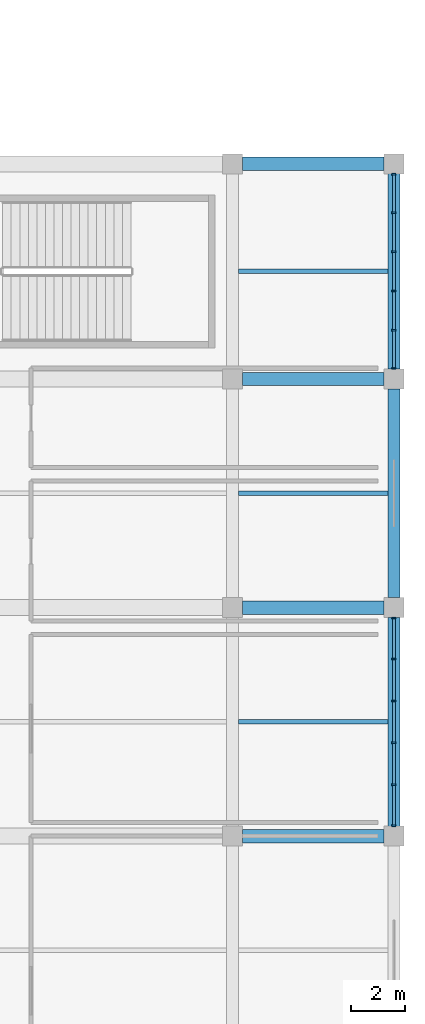
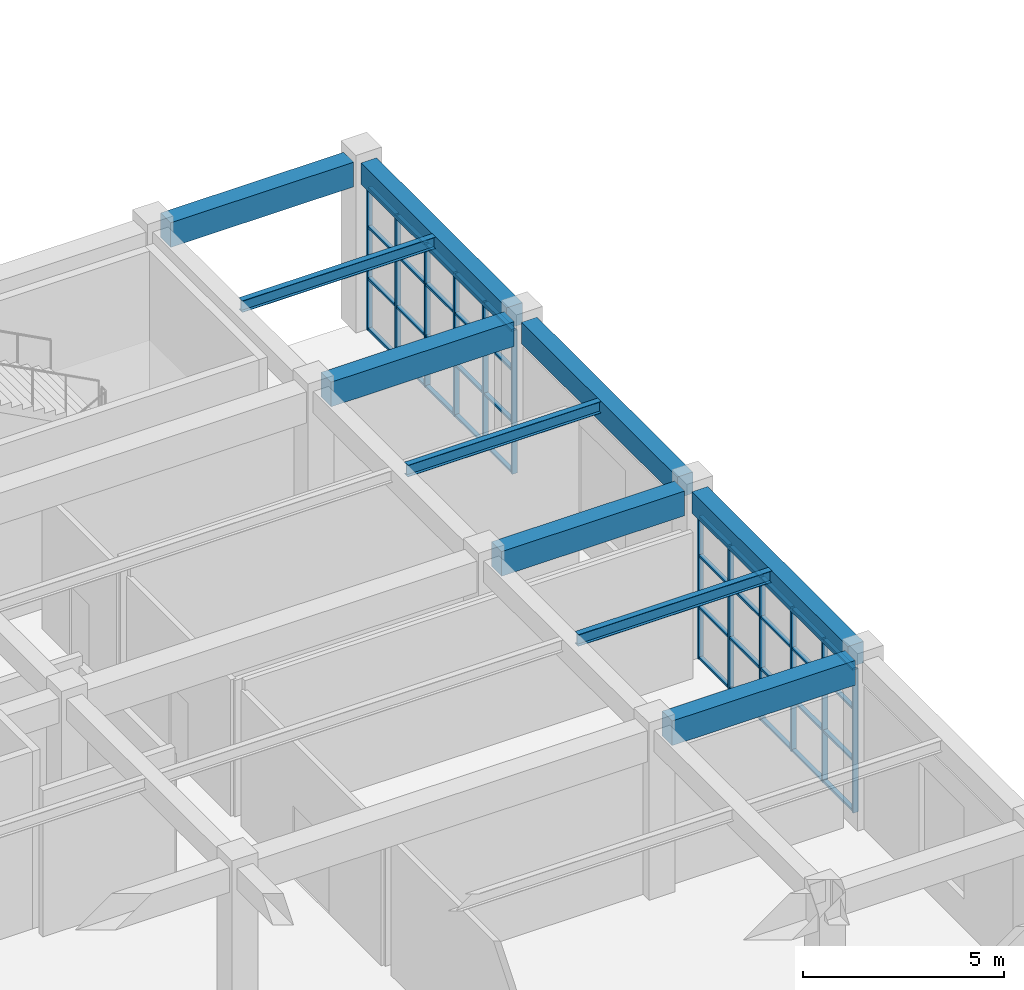
# One storey, part 39 of 70: 52 members, 10 beams, 2 elements without a shape of their own.
"""IFC4 building model written with IfcOpenShell, lengths in metres."""

from ifc_helpers import new_model, si_unit, direction, frame, origin, origin_2d, place, context, subcontext, project, spatial, rectangle, i_section, extrude, material, material_profile, profile_set, type_object, element, aggregate, save


model = new_model("IFC4")

# Units and contexts
model_context = context("Model", 3, precision=1e-05, world=origin(), true_north=direction((0.0, 1.0)))
body_context = subcontext(model_context, "Body", "Model", "MODEL_VIEW")
ifc_project = project(units=[si_unit("LENGTHUNIT", "METRE"), si_unit("AREAUNIT", "SQUARE_METRE"), si_unit("VOLUMEUNIT", "CUBIC_METRE"), si_unit("PLANEANGLEUNIT", "RADIAN"), si_unit("MASSUNIT", "GRAM", prefix="KILO")], contexts=[model_context])

# Site, building, storey
site_placement = place(None, origin())
site = spatial("IfcSite", under=ifc_project, at=site_placement, CompositionType="ELEMENT")
building_placement = place(site_placement, origin())
building = spatial("IfcBuilding", under=site, at=building_placement, Name="Cuetzalor Civic Arena", CompositionType="ELEMENT")
storey_placement = place(building_placement, frame((0.0, 0.0, 21.0)))
storey = spatial("IfcBuildingStorey", under=building, at=storey_placement, Name="L04", CompositionType="ELEMENT", Elevation=21.0)

# Beams
ifc_material_1 = material(Name="Concrete C40/50", Category="concrete")
ifc_material_profile_1 = material_profile(ifc_material_1, rectangle(XDim=0.5, YDim=0.75, at=origin_2d()), Name="RC 500x750")
ifc_profile_set_1 = profile_set([ifc_material_profile_1], Name="Concrete C40/50")
beam_type_1 = type_object("IfcBeamType", Name="ConcreteFrameBeam_500x750", PredefinedType="BEAM", material=ifc_profile_set_1)
for number, where, z_axis, x_axis, name in (
    (1, (76.364990234375, 0.0, 4.7451171875), (1.0, 0.0, 0.0), (0.0, 1.0, 0.0), "Frame Girder V4E-L04-X1165"),
    (2, (76.364990234375, 8.5, 4.7451171875), (1.0, 0.0, 0.0), (0.0, 1.0, 0.0), "Frame Girder V4E-L04-X1168"),
    (3, (76.364990234375, 17.0, 4.7451171875), (1.0, 0.0, 0.0), (0.0, 1.0, 0.0), "Frame Girder V4E-L04-X1171"),
    (4, (76.364990234375, 25.0, 4.7451171875), (1.0, 0.0, 0.0), (0.0, 1.0, 0.0), "Frame Girder V4E-L04-X1174"),
):
    element("IfcBeam", number, at=place(storey_placement, frame(where, z_axis=z_axis, x_axis=x_axis)), inside=storey, type_object=beam_type_1, Name=name, PredefinedType="BEAM", context=body_context, shape_type="SweptSolid", body=[
        extrude(rectangle(XDim=0.5, YDim=0.75, at=origin_2d()), origin(), (0.0, 0.0, 1.0), 5.27001953125),
    ])
ifc_material_2 = material(Name="Concrete C40/50", Category="concrete")
ifc_material_profile_2 = material_profile(ifc_material_2, rectangle(XDim=0.449951171875, YDim=0.64990234375, at=origin_2d()), Name="RC 450x650")
ifc_profile_set_2 = profile_set([ifc_material_profile_2], Name="Concrete C40/50")
beam_type_2 = type_object("IfcBeamType", Name="ConcreteTieBeam_450x650", PredefinedType="BEAM", material=ifc_profile_set_2)
for number, where, z_axis, x_axis, name in (
    (5, (82.0, 0.364990234375, 4.794921875), (0.0, 1.0, 0.0), (-1.0, 0.0, 0.0), "Frame Girder V4E-L04-Y1204"),
    (6, (82.0, 8.864990234375, 4.794921875), (0.0, 1.0, 0.0), (-1.0, 0.0, 0.0), "Frame Girder V4E-L04-Y1205"),
):
    element("IfcBeam", number, at=place(storey_placement, frame(where, z_axis=z_axis, x_axis=x_axis)), inside=storey, type_object=beam_type_2, Name=name, PredefinedType="BEAM", context=body_context, shape_type="SweptSolid", body=[
        extrude(rectangle(XDim=0.449951171875, YDim=0.64990234375, at=origin_2d()), origin(), (0.0, 0.0, 1.0), 7.77001953125),
    ])
beam_placement = place(storey_placement, frame((82.0, 17.364990234375, 4.794921875), z_axis=(0.0, 1.0, 0.0), x_axis=(-1.0, 0.0, 0.0)))
element("IfcBeam", 7, at=beam_placement, inside=storey, type_object=beam_type_2, Name="Frame Girder V4E-L04-Y1206", PredefinedType="BEAM", context=body_context, shape_type="SweptSolid", body=[
    extrude(rectangle(XDim=0.449951171875, YDim=0.64990234375, at=origin_2d()), origin(), (0.0, 0.0, 1.0), 7.27001953125),
])

# Curtain wall, members
ifc_material_3 = material(Name="Anodised dark bronze aluminium and low-E solar glass", Category="aluminium")
curtain_wall_type_1 = type_object("IfcCurtainWallType", Name="UnitisedCW_7800x4350", PredefinedType="USERDEFINED", material=ifc_material_3)
curtain_wall_1_placement = place(storey_placement, origin())
curtain_wall_1 = element("IfcCurtainWall", 8, at=curtain_wall_1_placement, inside=storey, type_object=curtain_wall_type_1, Name="V4E Suite Viewing Curtain Wall L04-152", ObjectType="UNITISED CURTAIN WALL", PredefinedType="USERDEFINED")
ifc_material_4 = material(Name="Anodised dark bronze aluminium", Category="aluminium")
ifc_material_profile_3 = material_profile(ifc_material_4, rectangle(XDim=0.06494140625, YDim=0.14990234375, at=origin_2d()), Name="ALU MULLION 65x150")
ifc_profile_set_3 = profile_set([ifc_material_profile_3], Name="Anodised dark bronze aluminium")
member_type_1 = type_object("IfcMemberType", Name="CurtainWallMullion_60x150", PredefinedType="MULLION", material=ifc_profile_set_3)
member_1_placement = place(storey_placement, frame((82.0, 8.110595703125, 0.0), z_axis=(0.0, 0.0, 1.0), x_axis=(0.0, -1.0, 0.0)))
member_1 = element("IfcMember", 9, at=member_1_placement, type_object=member_type_1, Name="CW-47 mullion 1", PredefinedType="MULLION", context=body_context, shape_type="SweptSolid", body=[
    extrude(rectangle(XDim=0.06494140625, YDim=0.14990234375, at=origin_2d()), origin(), (0.0, 0.0, 1.0), 4.360107421875),
])
member_2_placement = place(storey_placement, frame((82.0, 6.585693359375, 0.0), z_axis=(0.0, 0.0, 1.0), x_axis=(0.0, -1.0, 0.0)))
member_2 = element("IfcMember", 10, at=member_2_placement, type_object=member_type_1, Name="CW-47 mullion 2", PredefinedType="MULLION", context=body_context, shape_type="SweptSolid", body=[
    extrude(rectangle(XDim=0.06494140625, YDim=0.14990234375, at=origin_2d()), origin(), (0.0, 0.0, 1.0), 4.360107421875),
])
member_3_placement = place(storey_placement, frame((82.0, 5.028564453125, 0.0), z_axis=(0.0, 0.0, 1.0), x_axis=(0.0, -1.0, 0.0)))
member_3 = element("IfcMember", 11, at=member_3_placement, type_object=member_type_1, Name="CW-47 mullion 3", PredefinedType="MULLION", context=body_context, shape_type="SweptSolid", body=[
    extrude(rectangle(XDim=0.06494140625, YDim=0.14990234375, at=origin_2d()), origin(), (0.0, 0.0, 1.0), 4.360107421875),
])
member_4_placement = place(storey_placement, frame((82.0, 3.471435546875, 0.0), z_axis=(0.0, 0.0, 1.0), x_axis=(0.0, -1.0, 0.0)))
member_4 = element("IfcMember", 12, at=member_4_placement, type_object=member_type_1, Name="CW-47 mullion 4", PredefinedType="MULLION", context=body_context, shape_type="SweptSolid", body=[
    extrude(rectangle(XDim=0.06494140625, YDim=0.14990234375, at=origin_2d()), origin(), (0.0, 0.0, 1.0), 4.360107421875),
])
member_5_placement = place(storey_placement, frame((82.0, 1.914306640625, 0.0), z_axis=(0.0, 0.0, 1.0), x_axis=(0.0, -1.0, 0.0)))
member_5 = element("IfcMember", 13, at=member_5_placement, type_object=member_type_1, Name="CW-47 mullion 5", PredefinedType="MULLION", context=body_context, shape_type="SweptSolid", body=[
    extrude(rectangle(XDim=0.06494140625, YDim=0.14990234375, at=origin_2d()), origin(), (0.0, 0.0, 1.0), 4.360107421875),
])
member_6_placement = place(storey_placement, frame((82.0, 0.389404296875, 0.0), z_axis=(0.0, 0.0, 1.0), x_axis=(0.0, -1.0, 0.0)))
member_6 = element("IfcMember", 14, at=member_6_placement, type_object=member_type_1, Name="CW-47 mullion 6", PredefinedType="MULLION", context=body_context, shape_type="SweptSolid", body=[
    extrude(rectangle(XDim=0.06494140625, YDim=0.14990234375, at=origin_2d()), origin(), (0.0, 0.0, 1.0), 4.360107421875),
])

ifc_material_5 = material(Name="Anodised dark bronze aluminium and low-E solar glass", Category="aluminium")
curtain_wall_type_2 = type_object("IfcCurtainWallType", Name="UnitisedCW_7300x4350", PredefinedType="USERDEFINED", material=ifc_material_5)
curtain_wall_2_placement = place(storey_placement, origin())
curtain_wall_2 = element("IfcCurtainWall", 15, at=curtain_wall_2_placement, inside=storey, type_object=curtain_wall_type_2, Name="V4E Suite Viewing Curtain Wall L04-153", ObjectType="UNITISED CURTAIN WALL", PredefinedType="USERDEFINED")
member_7_placement = place(storey_placement, frame((82.0, 24.610595703125, 0.0), z_axis=(0.0, 0.0, 1.0), x_axis=(0.0, -1.0, 0.0)))
member_7 = element("IfcMember", 16, at=member_7_placement, type_object=member_type_1, Name="CW-48 mullion 1", PredefinedType="MULLION", context=body_context, shape_type="SweptSolid", body=[
    extrude(rectangle(XDim=0.06494140625, YDim=0.14990234375, at=origin_2d()), origin(), (0.0, 0.0, 1.0), 4.360107421875),
])
member_8_placement = place(storey_placement, frame((82.0, 23.185791015625, 0.0), z_axis=(0.0, 0.0, 1.0), x_axis=(0.0, -1.0, 0.0)))
member_8 = element("IfcMember", 17, at=member_8_placement, type_object=member_type_1, Name="CW-48 mullion 2", PredefinedType="MULLION", context=body_context, shape_type="SweptSolid", body=[
    extrude(rectangle(XDim=0.06494140625, YDim=0.14990234375, at=origin_2d()), origin(), (0.0, 0.0, 1.0), 4.360107421875),
])
member_9_placement = place(storey_placement, frame((82.0, 21.728515625, 0.0), z_axis=(0.0, 0.0, 1.0), x_axis=(0.0, -1.0, 0.0)))
member_9 = element("IfcMember", 18, at=member_9_placement, type_object=member_type_1, Name="CW-48 mullion 3", PredefinedType="MULLION", context=body_context, shape_type="SweptSolid", body=[
    extrude(rectangle(XDim=0.06494140625, YDim=0.14990234375, at=origin_2d()), origin(), (0.0, 0.0, 1.0), 4.360107421875),
])
member_10_placement = place(storey_placement, frame((82.0, 20.271484375, 0.0), z_axis=(0.0, 0.0, 1.0), x_axis=(0.0, -1.0, 0.0)))
member_10 = element("IfcMember", 19, at=member_10_placement, type_object=member_type_1, Name="CW-48 mullion 4", PredefinedType="MULLION", context=body_context, shape_type="SweptSolid", body=[
    extrude(rectangle(XDim=0.06494140625, YDim=0.14990234375, at=origin_2d()), origin(), (0.0, 0.0, 1.0), 4.360107421875),
])
member_11_placement = place(storey_placement, frame((82.0, 18.814208984375, 0.0), z_axis=(0.0, 0.0, 1.0), x_axis=(0.0, -1.0, 0.0)))
member_11 = element("IfcMember", 20, at=member_11_placement, type_object=member_type_1, Name="CW-48 mullion 5", PredefinedType="MULLION", context=body_context, shape_type="SweptSolid", body=[
    extrude(rectangle(XDim=0.06494140625, YDim=0.14990234375, at=origin_2d()), origin(), (0.0, 0.0, 1.0), 4.360107421875),
])
member_12_placement = place(storey_placement, frame((82.0, 17.389404296875, 0.0), z_axis=(0.0, 0.0, 1.0), x_axis=(0.0, -1.0, 0.0)))
member_12 = element("IfcMember", 21, at=member_12_placement, type_object=member_type_1, Name="CW-48 mullion 6", PredefinedType="MULLION", context=body_context, shape_type="SweptSolid", body=[
    extrude(rectangle(XDim=0.06494140625, YDim=0.14990234375, at=origin_2d()), origin(), (0.0, 0.0, 1.0), 4.360107421875),
])

# Member
ifc_material_6 = material(Name="Anodised dark bronze aluminium", Category="aluminium")
ifc_material_profile_4 = material_profile(ifc_material_6, rectangle(XDim=0.1201171875, YDim=0.06494140625, at=origin_2d()), Name="ALU TRANSOM 65x120")
ifc_profile_set_4 = profile_set([ifc_material_profile_4], Name="Anodised dark bronze aluminium")
member_type_2 = type_object("IfcMemberType", Name="CurtainWallTransom_60x120", PredefinedType="USERDEFINED", material=ifc_profile_set_4)
member_13_placement = place(storey_placement, frame((82.0, 8.077880859375, 0.032470703125), z_axis=(0.0, -1.0, 0.0), x_axis=(1.0, 0.0, 0.0)))
member_13 = element("IfcMember", 22, at=member_13_placement, type_object=member_type_2, Name="CW-47 transom 1.1", ObjectType="TRANSOM", PredefinedType="USERDEFINED", context=body_context, shape_type="SweptSolid", body=[
    extrude(rectangle(XDim=0.1201171875, YDim=0.06494140625, at=origin_2d()), origin(), (0.0, 0.0, 1.0), 1.45947265625),
])

member_14_placement = place(storey_placement, frame((82.0, 8.077880859375, 1.570068359375), z_axis=(0.0, -1.0, 0.0), x_axis=(1.0, 0.0, 0.0)))
member_14 = element("IfcMember", 23, at=member_14_placement, type_object=member_type_2, Name="CW-47 transom 1.2", ObjectType="TRANSOM", PredefinedType="USERDEFINED", context=body_context, shape_type="SweptSolid", body=[
    extrude(rectangle(XDim=0.1201171875, YDim=0.06494140625, at=origin_2d()), origin(), (0.0, 0.0, 1.0), 1.45947265625),
])

member_15_placement = place(storey_placement, frame((82.0, 8.077880859375, 3.138916015625), z_axis=(0.0, -1.0, 0.0), x_axis=(1.0, 0.0, 0.0)))
member_15 = element("IfcMember", 24, at=member_15_placement, type_object=member_type_2, Name="CW-47 transom 1.3", ObjectType="TRANSOM", PredefinedType="USERDEFINED", context=body_context, shape_type="SweptSolid", body=[
    extrude(rectangle(XDim=0.1201171875, YDim=0.06494140625, at=origin_2d()), origin(), (0.0, 0.0, 1.0), 1.45947265625),
])

member_16_placement = place(storey_placement, frame((82.0, 8.077880859375, 4.327392578125), z_axis=(0.0, -1.0, 0.0), x_axis=(1.0, 0.0, 0.0)))
member_16 = element("IfcMember", 25, at=member_16_placement, type_object=member_type_2, Name="CW-47 transom 1.4", ObjectType="TRANSOM", PredefinedType="USERDEFINED", context=body_context, shape_type="SweptSolid", body=[
    extrude(rectangle(XDim=0.1201171875, YDim=0.06494140625, at=origin_2d()), origin(), (0.0, 0.0, 1.0), 1.45947265625),
])

member_17_placement = place(storey_placement, frame((82.0, 6.55322265625, 0.032470703125), z_axis=(0.0, -1.0, 0.0), x_axis=(1.0, 0.0, 0.0)))
member_17 = element("IfcMember", 26, at=member_17_placement, type_object=member_type_2, Name="CW-47 transom 2.1", ObjectType="TRANSOM", PredefinedType="USERDEFINED", context=body_context, shape_type="SweptSolid", body=[
    extrude(rectangle(XDim=0.1201171875, YDim=0.06494140625, at=origin_2d()), origin(), (0.0, 0.0, 1.0), 1.4921875),
])

member_18_placement = place(storey_placement, frame((82.0, 6.55322265625, 1.570068359375), z_axis=(0.0, -1.0, 0.0), x_axis=(1.0, 0.0, 0.0)))
member_18 = element("IfcMember", 27, at=member_18_placement, type_object=member_type_2, Name="CW-47 transom 2.2", ObjectType="TRANSOM", PredefinedType="USERDEFINED", context=body_context, shape_type="SweptSolid", body=[
    extrude(rectangle(XDim=0.1201171875, YDim=0.06494140625, at=origin_2d()), origin(), (0.0, 0.0, 1.0), 1.4921875),
])

member_19_placement = place(storey_placement, frame((82.0, 6.55322265625, 3.138916015625), z_axis=(0.0, -1.0, 0.0), x_axis=(1.0, 0.0, 0.0)))
member_19 = element("IfcMember", 28, at=member_19_placement, type_object=member_type_2, Name="CW-47 transom 2.3", ObjectType="TRANSOM", PredefinedType="USERDEFINED", context=body_context, shape_type="SweptSolid", body=[
    extrude(rectangle(XDim=0.1201171875, YDim=0.06494140625, at=origin_2d()), origin(), (0.0, 0.0, 1.0), 1.4921875),
])

member_20_placement = place(storey_placement, frame((82.0, 6.55322265625, 4.327392578125), z_axis=(0.0, -1.0, 0.0), x_axis=(1.0, 0.0, 0.0)))
member_20 = element("IfcMember", 29, at=member_20_placement, type_object=member_type_2, Name="CW-47 transom 2.4", ObjectType="TRANSOM", PredefinedType="USERDEFINED", context=body_context, shape_type="SweptSolid", body=[
    extrude(rectangle(XDim=0.1201171875, YDim=0.06494140625, at=origin_2d()), origin(), (0.0, 0.0, 1.0), 1.4921875),
])

member_21_placement = place(storey_placement, frame((82.0, 4.99609375, 0.032470703125), z_axis=(0.0, -1.0, 0.0), x_axis=(1.0, 0.0, 0.0)))
member_21 = element("IfcMember", 30, at=member_21_placement, type_object=member_type_2, Name="CW-47 transom 3.1", ObjectType="TRANSOM", PredefinedType="USERDEFINED", context=body_context, shape_type="SweptSolid", body=[
    extrude(rectangle(XDim=0.1201171875, YDim=0.06494140625, at=origin_2d()), origin(), (0.0, 0.0, 1.0), 1.4921875),
])

member_22_placement = place(storey_placement, frame((82.0, 4.99609375, 1.570068359375), z_axis=(0.0, -1.0, 0.0), x_axis=(1.0, 0.0, 0.0)))
member_22 = element("IfcMember", 31, at=member_22_placement, type_object=member_type_2, Name="CW-47 transom 3.2", ObjectType="TRANSOM", PredefinedType="USERDEFINED", context=body_context, shape_type="SweptSolid", body=[
    extrude(rectangle(XDim=0.1201171875, YDim=0.06494140625, at=origin_2d()), origin(), (0.0, 0.0, 1.0), 1.4921875),
])

member_23_placement = place(storey_placement, frame((82.0, 4.99609375, 3.138916015625), z_axis=(0.0, -1.0, 0.0), x_axis=(1.0, 0.0, 0.0)))
member_23 = element("IfcMember", 32, at=member_23_placement, type_object=member_type_2, Name="CW-47 transom 3.3", ObjectType="TRANSOM", PredefinedType="USERDEFINED", context=body_context, shape_type="SweptSolid", body=[
    extrude(rectangle(XDim=0.1201171875, YDim=0.06494140625, at=origin_2d()), origin(), (0.0, 0.0, 1.0), 1.4921875),
])

member_24_placement = place(storey_placement, frame((82.0, 4.99609375, 4.327392578125), z_axis=(0.0, -1.0, 0.0), x_axis=(1.0, 0.0, 0.0)))
member_24 = element("IfcMember", 33, at=member_24_placement, type_object=member_type_2, Name="CW-47 transom 3.4", ObjectType="TRANSOM", PredefinedType="USERDEFINED", context=body_context, shape_type="SweptSolid", body=[
    extrude(rectangle(XDim=0.1201171875, YDim=0.06494140625, at=origin_2d()), origin(), (0.0, 0.0, 1.0), 1.4921875),
])

member_25_placement = place(storey_placement, frame((82.0, 3.43896484375, 0.032470703125), z_axis=(0.0, -1.0, 0.0), x_axis=(1.0, 0.0, 0.0)))
member_25 = element("IfcMember", 34, at=member_25_placement, type_object=member_type_2, Name="CW-47 transom 4.1", ObjectType="TRANSOM", PredefinedType="USERDEFINED", context=body_context, shape_type="SweptSolid", body=[
    extrude(rectangle(XDim=0.1201171875, YDim=0.06494140625, at=origin_2d()), origin(), (0.0, 0.0, 1.0), 1.4921875),
])

member_26_placement = place(storey_placement, frame((82.0, 3.43896484375, 1.570068359375), z_axis=(0.0, -1.0, 0.0), x_axis=(1.0, 0.0, 0.0)))
member_26 = element("IfcMember", 35, at=member_26_placement, type_object=member_type_2, Name="CW-47 transom 4.2", ObjectType="TRANSOM", PredefinedType="USERDEFINED", context=body_context, shape_type="SweptSolid", body=[
    extrude(rectangle(XDim=0.1201171875, YDim=0.06494140625, at=origin_2d()), origin(), (0.0, 0.0, 1.0), 1.4921875),
])

member_27_placement = place(storey_placement, frame((82.0, 3.43896484375, 3.138916015625), z_axis=(0.0, -1.0, 0.0), x_axis=(1.0, 0.0, 0.0)))
member_27 = element("IfcMember", 36, at=member_27_placement, type_object=member_type_2, Name="CW-47 transom 4.3", ObjectType="TRANSOM", PredefinedType="USERDEFINED", context=body_context, shape_type="SweptSolid", body=[
    extrude(rectangle(XDim=0.1201171875, YDim=0.06494140625, at=origin_2d()), origin(), (0.0, 0.0, 1.0), 1.4921875),
])

member_28_placement = place(storey_placement, frame((82.0, 3.43896484375, 4.327392578125), z_axis=(0.0, -1.0, 0.0), x_axis=(1.0, 0.0, 0.0)))
member_28 = element("IfcMember", 37, at=member_28_placement, type_object=member_type_2, Name="CW-47 transom 4.4", ObjectType="TRANSOM", PredefinedType="USERDEFINED", context=body_context, shape_type="SweptSolid", body=[
    extrude(rectangle(XDim=0.1201171875, YDim=0.06494140625, at=origin_2d()), origin(), (0.0, 0.0, 1.0), 1.4921875),
])

member_29_placement = place(storey_placement, frame((82.0, 1.881591796875, 0.032470703125), z_axis=(0.0, -1.0, 0.0), x_axis=(1.0, 0.0, 0.0)))
member_29 = element("IfcMember", 38, at=member_29_placement, type_object=member_type_2, Name="CW-47 transom 5.1", ObjectType="TRANSOM", PredefinedType="USERDEFINED", context=body_context, shape_type="SweptSolid", body=[
    extrude(rectangle(XDim=0.1201171875, YDim=0.06494140625, at=origin_2d()), origin(), (0.0, 0.0, 1.0), 1.45947265625),
])

member_30_placement = place(storey_placement, frame((82.0, 1.881591796875, 1.570068359375), z_axis=(0.0, -1.0, 0.0), x_axis=(1.0, 0.0, 0.0)))
member_30 = element("IfcMember", 39, at=member_30_placement, type_object=member_type_2, Name="CW-47 transom 5.2", ObjectType="TRANSOM", PredefinedType="USERDEFINED", context=body_context, shape_type="SweptSolid", body=[
    extrude(rectangle(XDim=0.1201171875, YDim=0.06494140625, at=origin_2d()), origin(), (0.0, 0.0, 1.0), 1.45947265625),
])

member_31_placement = place(storey_placement, frame((82.0, 1.881591796875, 3.138916015625), z_axis=(0.0, -1.0, 0.0), x_axis=(1.0, 0.0, 0.0)))
member_31 = element("IfcMember", 40, at=member_31_placement, type_object=member_type_2, Name="CW-47 transom 5.3", ObjectType="TRANSOM", PredefinedType="USERDEFINED", context=body_context, shape_type="SweptSolid", body=[
    extrude(rectangle(XDim=0.1201171875, YDim=0.06494140625, at=origin_2d()), origin(), (0.0, 0.0, 1.0), 1.45947265625),
])

member_32_placement = place(storey_placement, frame((82.0, 1.881591796875, 4.327392578125), z_axis=(0.0, -1.0, 0.0), x_axis=(1.0, 0.0, 0.0)))
member_32 = element("IfcMember", 41, at=member_32_placement, type_object=member_type_2, Name="CW-47 transom 5.4", ObjectType="TRANSOM", PredefinedType="USERDEFINED", context=body_context, shape_type="SweptSolid", body=[
    extrude(rectangle(XDim=0.1201171875, YDim=0.06494140625, at=origin_2d()), origin(), (0.0, 0.0, 1.0), 1.45947265625),
])

aggregate(curtain_wall_1, [member_1, member_2, member_3, member_4, member_5, member_6, member_13, member_14, member_15, member_16, member_17, member_18, member_19, member_20, member_21, member_22, member_23, member_24, member_25, member_26, member_27, member_28, member_29, member_30, member_31, member_32])

member_33_placement = place(storey_placement, frame((82.0, 24.577880859375, 0.032470703125), z_axis=(0.0, -1.0, 0.0), x_axis=(1.0, 0.0, 0.0)))
member_33 = element("IfcMember", 42, at=member_33_placement, type_object=member_type_2, Name="CW-48 transom 1.1", ObjectType="TRANSOM", PredefinedType="USERDEFINED", context=body_context, shape_type="SweptSolid", body=[
    extrude(rectangle(XDim=0.1201171875, YDim=0.06494140625, at=origin_2d()), origin(), (0.0, 0.0, 1.0), 1.359619140625),
])

member_34_placement = place(storey_placement, frame((82.0, 24.577880859375, 1.570068359375), z_axis=(0.0, -1.0, 0.0), x_axis=(1.0, 0.0, 0.0)))
member_34 = element("IfcMember", 43, at=member_34_placement, type_object=member_type_2, Name="CW-48 transom 1.2", ObjectType="TRANSOM", PredefinedType="USERDEFINED", context=body_context, shape_type="SweptSolid", body=[
    extrude(rectangle(XDim=0.1201171875, YDim=0.06494140625, at=origin_2d()), origin(), (0.0, 0.0, 1.0), 1.359619140625),
])

member_35_placement = place(storey_placement, frame((82.0, 24.577880859375, 3.138916015625), z_axis=(0.0, -1.0, 0.0), x_axis=(1.0, 0.0, 0.0)))
member_35 = element("IfcMember", 44, at=member_35_placement, type_object=member_type_2, Name="CW-48 transom 1.3", ObjectType="TRANSOM", PredefinedType="USERDEFINED", context=body_context, shape_type="SweptSolid", body=[
    extrude(rectangle(XDim=0.1201171875, YDim=0.06494140625, at=origin_2d()), origin(), (0.0, 0.0, 1.0), 1.359619140625),
])

member_36_placement = place(storey_placement, frame((82.0, 24.577880859375, 4.327392578125), z_axis=(0.0, -1.0, 0.0), x_axis=(1.0, 0.0, 0.0)))
member_36 = element("IfcMember", 45, at=member_36_placement, type_object=member_type_2, Name="CW-48 transom 1.4", ObjectType="TRANSOM", PredefinedType="USERDEFINED", context=body_context, shape_type="SweptSolid", body=[
    extrude(rectangle(XDim=0.1201171875, YDim=0.06494140625, at=origin_2d()), origin(), (0.0, 0.0, 1.0), 1.359619140625),
])

member_37_placement = place(storey_placement, frame((82.0, 23.1533203125, 0.032470703125), z_axis=(0.0, -1.0, 0.0), x_axis=(1.0, 0.0, 0.0)))
member_37 = element("IfcMember", 46, at=member_37_placement, type_object=member_type_2, Name="CW-48 transom 2.1", ObjectType="TRANSOM", PredefinedType="USERDEFINED", context=body_context, shape_type="SweptSolid", body=[
    extrude(rectangle(XDim=0.1201171875, YDim=0.06494140625, at=origin_2d()), origin(), (0.0, 0.0, 1.0), 1.392333984375),
])

member_38_placement = place(storey_placement, frame((82.0, 23.1533203125, 1.570068359375), z_axis=(0.0, -1.0, 0.0), x_axis=(1.0, 0.0, 0.0)))
member_38 = element("IfcMember", 47, at=member_38_placement, type_object=member_type_2, Name="CW-48 transom 2.2", ObjectType="TRANSOM", PredefinedType="USERDEFINED", context=body_context, shape_type="SweptSolid", body=[
    extrude(rectangle(XDim=0.1201171875, YDim=0.06494140625, at=origin_2d()), origin(), (0.0, 0.0, 1.0), 1.392333984375),
])

member_39_placement = place(storey_placement, frame((82.0, 23.1533203125, 3.138916015625), z_axis=(0.0, -1.0, 0.0), x_axis=(1.0, 0.0, 0.0)))
member_39 = element("IfcMember", 48, at=member_39_placement, type_object=member_type_2, Name="CW-48 transom 2.3", ObjectType="TRANSOM", PredefinedType="USERDEFINED", context=body_context, shape_type="SweptSolid", body=[
    extrude(rectangle(XDim=0.1201171875, YDim=0.06494140625, at=origin_2d()), origin(), (0.0, 0.0, 1.0), 1.392333984375),
])

member_40_placement = place(storey_placement, frame((82.0, 23.1533203125, 4.327392578125), z_axis=(0.0, -1.0, 0.0), x_axis=(1.0, 0.0, 0.0)))
member_40 = element("IfcMember", 49, at=member_40_placement, type_object=member_type_2, Name="CW-48 transom 2.4", ObjectType="TRANSOM", PredefinedType="USERDEFINED", context=body_context, shape_type="SweptSolid", body=[
    extrude(rectangle(XDim=0.1201171875, YDim=0.06494140625, at=origin_2d()), origin(), (0.0, 0.0, 1.0), 1.392333984375),
])

member_41_placement = place(storey_placement, frame((82.0, 21.696044921875, 0.032470703125), z_axis=(0.0, -1.0, 0.0), x_axis=(1.0, 0.0, 0.0)))
member_41 = element("IfcMember", 50, at=member_41_placement, type_object=member_type_2, Name="CW-48 transom 3.1", ObjectType="TRANSOM", PredefinedType="USERDEFINED", context=body_context, shape_type="SweptSolid", body=[
    extrude(rectangle(XDim=0.1201171875, YDim=0.06494140625, at=origin_2d()), origin(), (0.0, 0.0, 1.0), 1.39208984375),
])

member_42_placement = place(storey_placement, frame((82.0, 21.696044921875, 1.570068359375), z_axis=(0.0, -1.0, 0.0), x_axis=(1.0, 0.0, 0.0)))
member_42 = element("IfcMember", 51, at=member_42_placement, type_object=member_type_2, Name="CW-48 transom 3.2", ObjectType="TRANSOM", PredefinedType="USERDEFINED", context=body_context, shape_type="SweptSolid", body=[
    extrude(rectangle(XDim=0.1201171875, YDim=0.06494140625, at=origin_2d()), origin(), (0.0, 0.0, 1.0), 1.39208984375),
])

member_43_placement = place(storey_placement, frame((82.0, 21.696044921875, 3.138916015625), z_axis=(0.0, -1.0, 0.0), x_axis=(1.0, 0.0, 0.0)))
member_43 = element("IfcMember", 52, at=member_43_placement, type_object=member_type_2, Name="CW-48 transom 3.3", ObjectType="TRANSOM", PredefinedType="USERDEFINED", context=body_context, shape_type="SweptSolid", body=[
    extrude(rectangle(XDim=0.1201171875, YDim=0.06494140625, at=origin_2d()), origin(), (0.0, 0.0, 1.0), 1.39208984375),
])

member_44_placement = place(storey_placement, frame((82.0, 21.696044921875, 4.327392578125), z_axis=(0.0, -1.0, 0.0), x_axis=(1.0, 0.0, 0.0)))
member_44 = element("IfcMember", 53, at=member_44_placement, type_object=member_type_2, Name="CW-48 transom 3.4", ObjectType="TRANSOM", PredefinedType="USERDEFINED", context=body_context, shape_type="SweptSolid", body=[
    extrude(rectangle(XDim=0.1201171875, YDim=0.06494140625, at=origin_2d()), origin(), (0.0, 0.0, 1.0), 1.39208984375),
])

member_45_placement = place(storey_placement, frame((82.0, 20.239013671875, 0.032470703125), z_axis=(0.0, -1.0, 0.0), x_axis=(1.0, 0.0, 0.0)))
member_45 = element("IfcMember", 54, at=member_45_placement, type_object=member_type_2, Name="CW-48 transom 4.1", ObjectType="TRANSOM", PredefinedType="USERDEFINED", context=body_context, shape_type="SweptSolid", body=[
    extrude(rectangle(XDim=0.1201171875, YDim=0.06494140625, at=origin_2d()), origin(), (0.0, 0.0, 1.0), 1.392333984375),
])

member_46_placement = place(storey_placement, frame((82.0, 20.239013671875, 1.570068359375), z_axis=(0.0, -1.0, 0.0), x_axis=(1.0, 0.0, 0.0)))
member_46 = element("IfcMember", 55, at=member_46_placement, type_object=member_type_2, Name="CW-48 transom 4.2", ObjectType="TRANSOM", PredefinedType="USERDEFINED", context=body_context, shape_type="SweptSolid", body=[
    extrude(rectangle(XDim=0.1201171875, YDim=0.06494140625, at=origin_2d()), origin(), (0.0, 0.0, 1.0), 1.392333984375),
])

member_47_placement = place(storey_placement, frame((82.0, 20.239013671875, 3.138916015625), z_axis=(0.0, -1.0, 0.0), x_axis=(1.0, 0.0, 0.0)))
member_47 = element("IfcMember", 56, at=member_47_placement, type_object=member_type_2, Name="CW-48 transom 4.3", ObjectType="TRANSOM", PredefinedType="USERDEFINED", context=body_context, shape_type="SweptSolid", body=[
    extrude(rectangle(XDim=0.1201171875, YDim=0.06494140625, at=origin_2d()), origin(), (0.0, 0.0, 1.0), 1.392333984375),
])

member_48_placement = place(storey_placement, frame((82.0, 20.239013671875, 4.327392578125), z_axis=(0.0, -1.0, 0.0), x_axis=(1.0, 0.0, 0.0)))
member_48 = element("IfcMember", 57, at=member_48_placement, type_object=member_type_2, Name="CW-48 transom 4.4", ObjectType="TRANSOM", PredefinedType="USERDEFINED", context=body_context, shape_type="SweptSolid", body=[
    extrude(rectangle(XDim=0.1201171875, YDim=0.06494140625, at=origin_2d()), origin(), (0.0, 0.0, 1.0), 1.392333984375),
])

member_49_placement = place(storey_placement, frame((82.0, 18.78173828125, 0.032470703125), z_axis=(0.0, -1.0, 0.0), x_axis=(1.0, 0.0, 0.0)))
member_49 = element("IfcMember", 58, at=member_49_placement, type_object=member_type_2, Name="CW-48 transom 5.1", ObjectType="TRANSOM", PredefinedType="USERDEFINED", context=body_context, shape_type="SweptSolid", body=[
    extrude(rectangle(XDim=0.1201171875, YDim=0.06494140625, at=origin_2d()), origin(), (0.0, 0.0, 1.0), 1.359619140625),
])

member_50_placement = place(storey_placement, frame((82.0, 18.78173828125, 1.570068359375), z_axis=(0.0, -1.0, 0.0), x_axis=(1.0, 0.0, 0.0)))
member_50 = element("IfcMember", 59, at=member_50_placement, type_object=member_type_2, Name="CW-48 transom 5.2", ObjectType="TRANSOM", PredefinedType="USERDEFINED", context=body_context, shape_type="SweptSolid", body=[
    extrude(rectangle(XDim=0.1201171875, YDim=0.06494140625, at=origin_2d()), origin(), (0.0, 0.0, 1.0), 1.359619140625),
])

member_51_placement = place(storey_placement, frame((82.0, 18.78173828125, 3.138916015625), z_axis=(0.0, -1.0, 0.0), x_axis=(1.0, 0.0, 0.0)))
member_51 = element("IfcMember", 60, at=member_51_placement, type_object=member_type_2, Name="CW-48 transom 5.3", ObjectType="TRANSOM", PredefinedType="USERDEFINED", context=body_context, shape_type="SweptSolid", body=[
    extrude(rectangle(XDim=0.1201171875, YDim=0.06494140625, at=origin_2d()), origin(), (0.0, 0.0, 1.0), 1.359619140625),
])

member_52_placement = place(storey_placement, frame((82.0, 18.78173828125, 4.327392578125), z_axis=(0.0, -1.0, 0.0), x_axis=(1.0, 0.0, 0.0)))
member_52 = element("IfcMember", 61, at=member_52_placement, type_object=member_type_2, Name="CW-48 transom 5.4", ObjectType="TRANSOM", PredefinedType="USERDEFINED", context=body_context, shape_type="SweptSolid", body=[
    extrude(rectangle(XDim=0.1201171875, YDim=0.06494140625, at=origin_2d()), origin(), (0.0, 0.0, 1.0), 1.359619140625),
])

aggregate(curtain_wall_2, [member_7, member_8, member_9, member_10, member_11, member_12, member_33, member_34, member_35, member_36, member_37, member_38, member_39, member_40, member_41, member_42, member_43, member_44, member_45, member_46, member_47, member_48, member_49, member_50, member_51, member_52])

# Beams
ifc_material_7 = material(Name="Steel S355", Category="steel")
ifc_material_profile_5 = material_profile(ifc_material_7, i_section(OverallWidth=0.1708984375, OverallDepth=0.35498046875, WebThickness=0.007080078125, FlangeThickness=0.01171875, at=origin_2d()), Name="W360x51")
ifc_profile_set_5 = profile_set([ifc_material_profile_5], Name="Steel S355")
beam_type_3 = type_object("IfcBeamType", Name="SecondaryFloorJoist_W360", PredefinedType="JOIST", material=ifc_profile_set_5)
for number, where, z_axis, x_axis, name in (
    (62, (76.217041015625, 4.25, 4.9423828125), (1.0, 0.0, 0.0), (0.0, 1.0, 0.0), "Secondary Floor Joist V4E-L04-0375"),
    (63, (76.217041015625, 12.75, 4.9423828125), (1.0, 0.0, 0.0), (0.0, 1.0, 0.0), "Secondary Floor Joist V4E-L04-0376"),
    (64, (76.217041015625, 21.0, 4.9423828125), (1.0, 0.0, 0.0), (0.0, 1.0, 0.0), "Secondary Floor Joist V4E-L04-0377"),
):
    element("IfcBeam", number, at=place(storey_placement, frame(where, z_axis=z_axis, x_axis=x_axis)), inside=storey, type_object=beam_type_3, Name=name, PredefinedType="JOIST", context=body_context, shape_type="SweptSolid", body=[
        extrude(i_section(OverallWidth=0.1708984375, OverallDepth=0.35498046875, WebThickness=0.007080078125, FlangeThickness=0.01171875, at=origin_2d()), origin(), (0.0, 0.0, 1.0), 5.56591796875),
    ])

save(model, "model.ifc")
